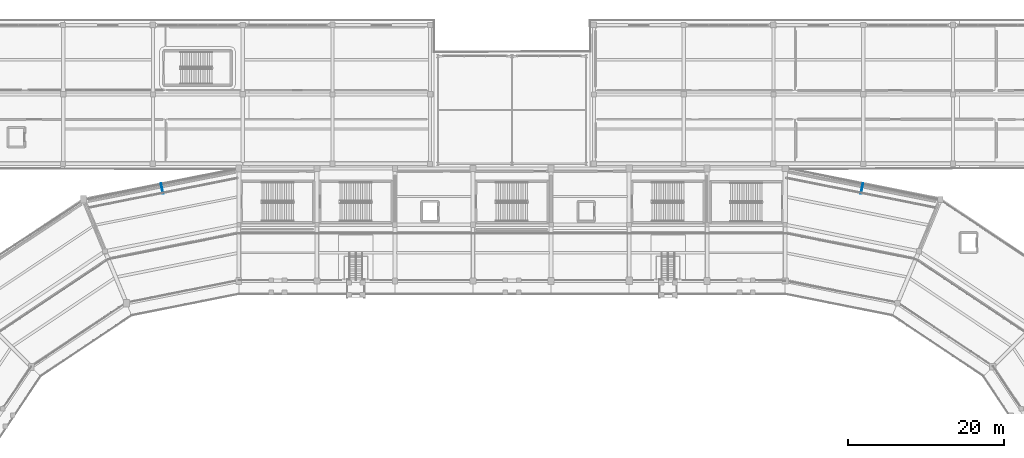
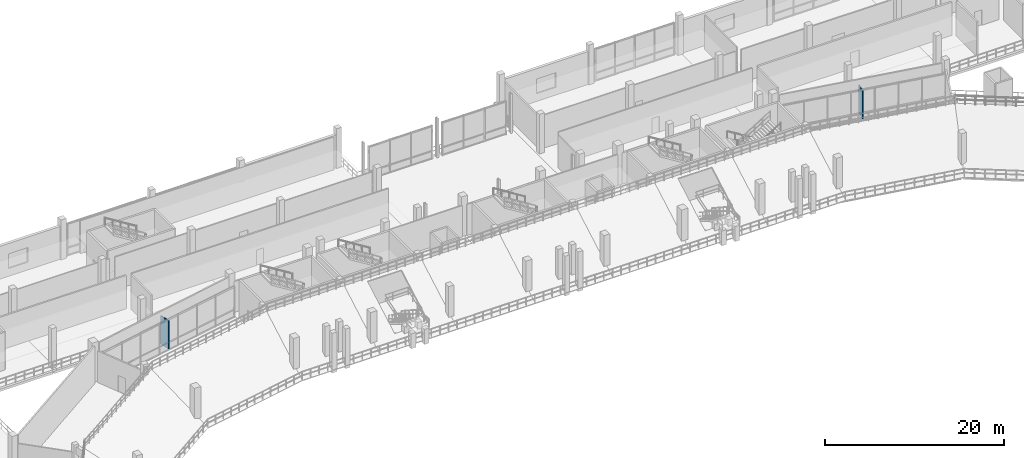
# One storey, part 93 of 127: 2 discrete accessories.
"""IFC4 building model written with IfcOpenShell, lengths in metres."""

from ifc_helpers import new_model, si_unit, direction, frame, origin, origin_2d, place, context, subcontext, project, spatial, rectangle, extrude, material, type_object, element, save


model = new_model("IFC4")

# Units and contexts
model_context = context("Model", 3, precision=1e-05, world=origin(), true_north=direction((0.0, 1.0)))
body_context = subcontext(model_context, "Body", "Model", "MODEL_VIEW")
ifc_project = project(units=[si_unit("LENGTHUNIT", "METRE"), si_unit("AREAUNIT", "SQUARE_METRE"), si_unit("VOLUMEUNIT", "CUBIC_METRE"), si_unit("PLANEANGLEUNIT", "RADIAN"), si_unit("MASSUNIT", "GRAM", prefix="KILO")], contexts=[model_context])

# Site, building, storey
site_placement = place(None, origin())
site = spatial("IfcSite", under=ifc_project, at=site_placement, CompositionType="ELEMENT")
building_placement = place(site_placement, origin())
building = spatial("IfcBuilding", under=site, at=building_placement, Name="Candeia Ridge Stadium", CompositionType="ELEMENT")
storey_placement = place(building_placement, frame((0.0, 0.0, 10.800048828125)))
storey = spatial("IfcBuildingStorey", under=building, at=storey_placement, Name="L02", CompositionType="ELEMENT", Elevation=10.800048828125)

# Discrete accessories
ifc_material = material(Name="Steel ASTM A572 Grade 50", Category="steel")
discrete_accessory_type = type_object("IfcDiscreteAccessoryType", Name="Solar Rib Outrigger Bracket BRK1", PredefinedType="BRACKET", material=ifc_material)
discrete_accessory_1_placement = place(storey_placement, frame((61.1650390625, 144.443603515625, 0.199951171875), z_axis=(0.0, 0.0, 1.0), x_axis=(-0.19509022785, 0.980785299134, 0.0)))
element("IfcDiscreteAccessory", 1, at=discrete_accessory_1_placement, inside=storey, type_object=discrete_accessory_type, Name="Solar rib steel outrigger bracket L02 bay 08", PredefinedType="BRACKET", context=body_context, shape_type="SweptSolid", body=[
    extrude(rectangle(XDim=1.35009765625, YDim=0.1201171875, at=origin_2d()), origin(), (0.0, 0.0, 1.0), 3.85498046875),
])
discrete_accessory_2_placement = place(storey_placement, frame((150.8349609375, 144.443603515625, 0.199951171875), z_axis=(0.0, 0.0, 1.0), x_axis=(0.19509022785, 0.980785299134, 0.0)))
element("IfcDiscreteAccessory", 2, at=discrete_accessory_2_placement, inside=storey, type_object=discrete_accessory_type, Name="Solar rib steel outrigger bracket L02 bay 36", PredefinedType="BRACKET", context=body_context, shape_type="SweptSolid", body=[
    extrude(rectangle(XDim=1.35009765625, YDim=0.1201171875, at=origin_2d()), origin(), (0.0, 0.0, 1.0), 3.81494140625),
])

save(model, "model.ifc")
